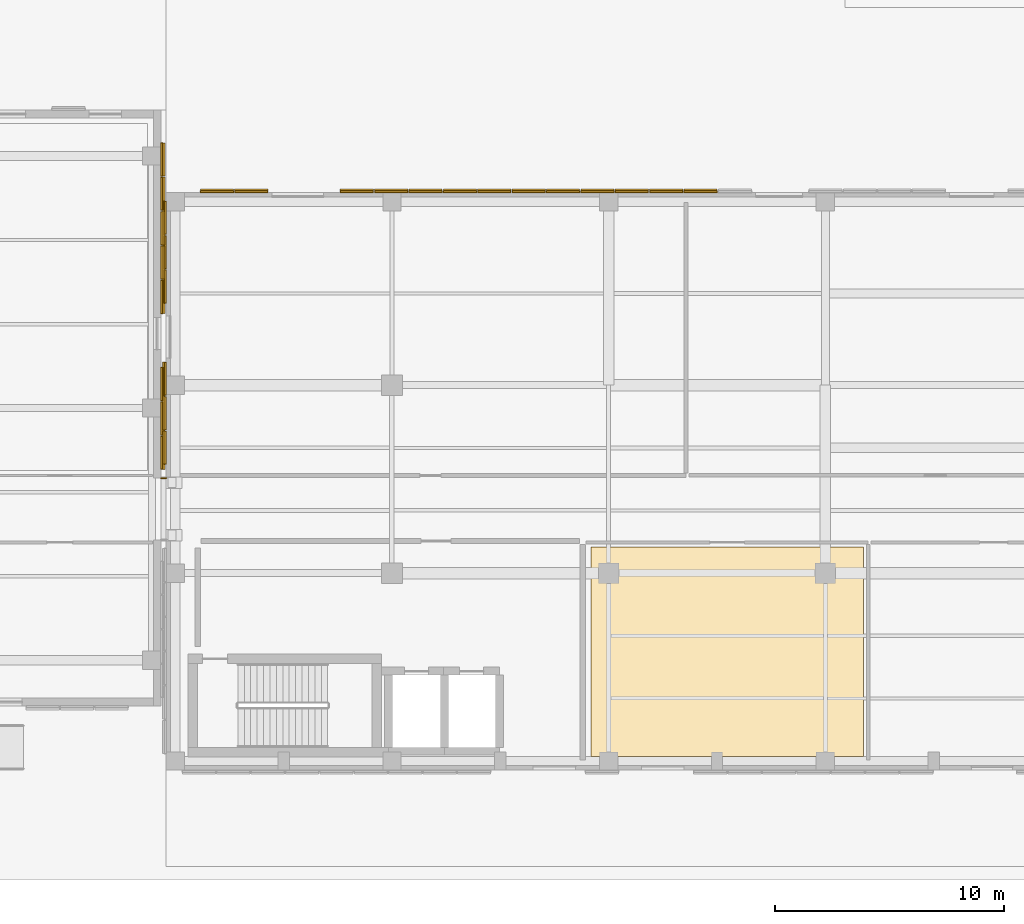
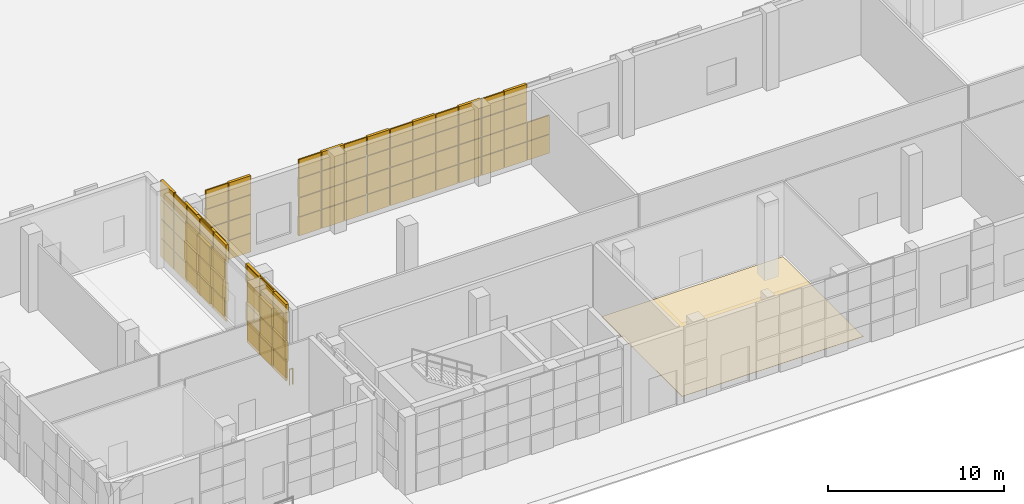
# One storey, part 22 of 40: 107 coverings, 1 railing.
"""IFC4 building model written with IfcOpenShell, lengths in metres."""

from ifc_helpers import new_model, si_unit, direction, frame, origin, origin_2d, place, context, subcontext, project, spatial, polyline, rectangle, circle, outline, extrude, material, layer, layer_set, type_object, element, save


model = new_model("IFC4")

# Units and contexts
model_context = context("Model", 3, precision=1e-05, world=origin(), true_north=direction((0.0, 1.0)))
body_context = subcontext(model_context, "Body", "Model", "MODEL_VIEW")
ifc_project = project(units=[si_unit("LENGTHUNIT", "METRE"), si_unit("AREAUNIT", "SQUARE_METRE"), si_unit("VOLUMEUNIT", "CUBIC_METRE"), si_unit("PLANEANGLEUNIT", "RADIAN"), si_unit("MASSUNIT", "GRAM", prefix="KILO")], contexts=[model_context])

# Site, building, storey
site_placement = place(None, origin())
site = spatial("IfcSite", under=ifc_project, at=site_placement, CompositionType="ELEMENT")
building_placement = place(site_placement, origin())
building = spatial("IfcBuilding", under=site, at=building_placement, Name="Qalavern Law Courts", CompositionType="ELEMENT")
storey_placement = place(building_placement, origin())
storey = spatial("IfcBuildingStorey", under=building, at=storey_placement, Name="L00", CompositionType="ELEMENT", Elevation=0.0)

# Railing
ifc_material_1 = material(Name="Steel S355", Category="steel")
railing_type = type_object("IfcRailingType", Name="ENV-BAL-1120", PredefinedType="BALUSTRADE", material=ifc_material_1)
railing_placement = place(storey_placement, frame((34.0, 17.93994140625, 0.0)))
element("IfcRailing", 1, at=railing_placement, inside=storey, type_object=railing_type, Name="Bridge BR-V1-V2 joint guard L00-2", PredefinedType="BALUSTRADE", context=body_context, shape_type="SweptSolid", body=[
    extrude(circle(Radius=0.02392578125, at=origin_2d()), frame((0.0, 0.0, 1.09619140625), z_axis=(1.0, 0.0, 0.0), x_axis=(0.0, 1.0, 0.0)), (0.0, 0.0, 1.0), 0.219970703125),
    extrude(circle(Radius=0.02099609375, at=origin_2d()), origin(), (0.0, 0.0, 1.0), 1.072021484375),
    extrude(circle(Radius=0.02099609375, at=origin_2d()), frame((0.219970703125, 0.0, 0.0)), (0.0, 0.0, 1.0), 1.072021484375),
])

# Coverings
ifc_material_2 = material(Name="Precast concrete C40/50", Category="concrete")
ifc_layer_1 = layer(ifc_material_2, 0.06005859375)
ifc_layer_set_1 = layer_set([ifc_layer_1], Name="Precast concrete C40/50")
covering_type_1 = type_object("IfcCoveringType", Name="ENV-CLD-1", PredefinedType="CLADDING", material=ifc_layer_set_1)
for number, where, z_axis, x_axis, name in (
    (2, (34.080078125, 19.050048828125, 1.385009765625), (0.0, 0.0, 1.0), (0.0, 1.0, 0.0), "Cast drop-relief street-base tile 0042"),
    (3, (34.080078125, 20.550048828125, 0.050048828125), (0.0, 0.0, 1.0), (0.0, 1.0, 0.0), "Cast drop-relief street-base tile 0045"),
):
    element("IfcCovering", number, at=place(storey_placement, frame(where, z_axis=z_axis, x_axis=x_axis)), inside=storey, type_object=covering_type_1, Name=name, PredefinedType="CLADDING", context=body_context, shape_type="SweptSolid", body=[
        extrude(rectangle(XDim=1.449951171875, YDim=0.16796875, at=origin_2d()), origin(), (0.0, 0.0, 1.0), 1.294921875),
    ])
for number, where, z_axis, x_axis, name in (
    (4, (34.0380859375, 20.550048828125, 4.054931640625), (0.0, 0.0, 1.0), (0.0, 1.0, 0.0), "Cast drop-relief street-base tile 0048"),
    (5, (34.0380859375, 22.050048828125, 2.719970703125), (0.0, 0.0, 1.0), (0.0, 1.0, 0.0), "Cast drop-relief street-base tile 0051"),
):
    element("IfcCovering", number, at=place(storey_placement, frame(where, z_axis=z_axis, x_axis=x_axis)), inside=storey, type_object=covering_type_1, Name=name, PredefinedType="CLADDING", context=body_context, shape_type="SweptSolid", body=[
        extrude(rectangle(XDim=1.449951171875, YDim=0.083984375, at=origin_2d()), origin(), (0.0, 0.0, 1.0), 1.294921875),
    ])
for number, where, z_axis, x_axis, name in (
    (6, (34.080078125, 25.85009765625, 1.385009765625), (0.0, 0.0, 1.0), (0.0, 1.0, 0.0), "Cast drop-relief street-base tile 0054"),
    (7, (34.080078125, 27.35009765625, 0.050048828125), (0.0, 0.0, 1.0), (0.0, 1.0, 0.0), "Cast drop-relief street-base tile 0057"),
):
    element("IfcCovering", number, at=place(storey_placement, frame(where, z_axis=z_axis, x_axis=x_axis)), inside=storey, type_object=covering_type_1, Name=name, PredefinedType="CLADDING", context=body_context, shape_type="SweptSolid", body=[
        extrude(rectangle(XDim=1.449951171875, YDim=0.16796875, at=origin_2d()), origin(), (0.0, 0.0, 1.0), 1.294921875),
    ])
for number, where, z_axis, x_axis, name in (
    (8, (34.0380859375, 27.35009765625, 4.054931640625), (0.0, 0.0, 1.0), (0.0, 1.0, 0.0), "Cast drop-relief street-base tile 0060"),
    (9, (34.0380859375, 28.85009765625, 2.719970703125), (0.0, 0.0, 1.0), (0.0, 1.0, 0.0), "Cast drop-relief street-base tile 0063"),
    (10, (34.0380859375, 30.35009765625, 1.385009765625), (0.0, 0.0, 1.0), (0.0, 1.0, 0.0), "Cast drop-relief street-base tile 0066"),
    (11, (34.0380859375, 31.85009765625, 0.050048828125), (0.0, 0.0, 1.0), (0.0, 1.0, 0.0), "Cast drop-relief street-base tile 0069"),
):
    element("IfcCovering", number, at=place(storey_placement, frame(where, z_axis=z_axis, x_axis=x_axis)), inside=storey, type_object=covering_type_1, Name=name, PredefinedType="CLADDING", context=body_context, shape_type="SweptSolid", body=[
        extrude(rectangle(XDim=1.449951171875, YDim=0.083984375, at=origin_2d()), origin(), (0.0, 0.0, 1.0), 1.294921875),
    ])
for number, where, z_axis, x_axis, name in (
    (12, (34.080078125, 31.85009765625, 4.054931640625), (0.0, 0.0, 1.0), (0.0, 1.0, 0.0), "Cast drop-relief street-base tile 0072"),
    (13, (57.5400390625, 30.47998046875, 0.050048828125), (0.0, 0.0, 1.0), (-1.0, 0.0, 0.0), "Cast drop-relief street-base tile 0381"),
):
    element("IfcCovering", number, at=place(storey_placement, frame(where, z_axis=z_axis, x_axis=x_axis)), inside=storey, type_object=covering_type_1, Name=name, PredefinedType="CLADDING", context=body_context, shape_type="SweptSolid", body=[
        extrude(rectangle(XDim=1.449951171875, YDim=0.16796875, at=origin_2d()), origin(), (0.0, 0.0, 1.0), 1.294921875),
    ])
for number, where, z_axis, x_axis, name in (
    (14, (56.0400390625, 30.43798828125, 2.719970703125), (0.0, 0.0, 1.0), (-1.0, 0.0, 0.0), "Cast drop-relief street-base tile 0387"),
    (15, (54.5400390625, 30.43798828125, 1.385009765625), (0.0, 0.0, 1.0), (-1.0, 0.0, 0.0), "Cast drop-relief street-base tile 0390"),
    (16, (53.0400390625, 30.43798828125, 0.050048828125), (0.0, 0.0, 1.0), (-1.0, 0.0, 0.0), "Cast drop-relief street-base tile 0393"),
):
    element("IfcCovering", number, at=place(storey_placement, frame(where, z_axis=z_axis, x_axis=x_axis)), inside=storey, type_object=covering_type_1, Name=name, PredefinedType="CLADDING", context=body_context, shape_type="SweptSolid", body=[
        extrude(rectangle(XDim=1.449951171875, YDim=0.083984375, at=origin_2d()), origin(), (0.0, 0.0, 1.0), 1.294921875),
    ])
for number, where, z_axis, x_axis, name in (
    (17, (53.0400390625, 30.47998046875, 4.054931640625), (0.0, 0.0, 1.0), (-1.0, 0.0, 0.0), "Cast drop-relief street-base tile 0396"),
    (18, (51.5400390625, 30.47998046875, 2.719970703125), (0.0, 0.0, 1.0), (-1.0, 0.0, 0.0), "Cast drop-relief street-base tile 0399"),
    (19, (50.0400390625, 30.47998046875, 1.385009765625), (0.0, 0.0, 1.0), (-1.0, 0.0, 0.0), "Cast drop-relief street-base tile 0402"),
    (20, (48.5400390625, 30.47998046875, 0.050048828125), (0.0, 0.0, 1.0), (-1.0, 0.0, 0.0), "Cast drop-relief street-base tile 0405"),
):
    element("IfcCovering", number, at=place(storey_placement, frame(where, z_axis=z_axis, x_axis=x_axis)), inside=storey, type_object=covering_type_1, Name=name, PredefinedType="CLADDING", context=body_context, shape_type="SweptSolid", body=[
        extrude(rectangle(XDim=1.449951171875, YDim=0.16796875, at=origin_2d()), origin(), (0.0, 0.0, 1.0), 1.294921875),
    ])
for number, where, z_axis, x_axis, name in (
    (21, (48.5400390625, 30.43798828125, 4.054931640625), (0.0, 0.0, 1.0), (-1.0, 0.0, 0.0), "Cast drop-relief street-base tile 0408"),
    (22, (47.0400390625, 30.43798828125, 2.719970703125), (0.0, 0.0, 1.0), (-1.0, 0.0, 0.0), "Cast drop-relief street-base tile 0411"),
    (23, (45.5400390625, 30.43798828125, 1.385009765625), (0.0, 0.0, 1.0), (-1.0, 0.0, 0.0), "Cast drop-relief street-base tile 0414"),
    (24, (44.0400390625, 30.43798828125, 0.050048828125), (0.0, 0.0, 1.0), (-1.0, 0.0, 0.0), "Cast drop-relief street-base tile 0417"),
):
    element("IfcCovering", number, at=place(storey_placement, frame(where, z_axis=z_axis, x_axis=x_axis)), inside=storey, type_object=covering_type_1, Name=name, PredefinedType="CLADDING", context=body_context, shape_type="SweptSolid", body=[
        extrude(rectangle(XDim=1.449951171875, YDim=0.083984375, at=origin_2d()), origin(), (0.0, 0.0, 1.0), 1.294921875),
    ])
for number, where, z_axis, x_axis, name in (
    (25, (44.0400390625, 30.47998046875, 4.054931640625), (0.0, 0.0, 1.0), (-1.0, 0.0, 0.0), "Cast drop-relief street-base tile 0420"),
    (26, (42.5400390625, 30.47998046875, 2.719970703125), (0.0, 0.0, 1.0), (-1.0, 0.0, 0.0), "Cast drop-relief street-base tile 0423"),
    (27, (37.93994140625, 30.47998046875, 1.385009765625), (0.0, 0.0, 1.0), (-1.0, 0.0, 0.0), "Cast drop-relief street-base tile 0426"),
    (28, (36.43994140625, 30.47998046875, 0.050048828125), (0.0, 0.0, 1.0), (-1.0, 0.0, 0.0), "Cast drop-relief street-base tile 0429"),
):
    element("IfcCovering", number, at=place(storey_placement, frame(where, z_axis=z_axis, x_axis=x_axis)), inside=storey, type_object=covering_type_1, Name=name, PredefinedType="CLADDING", context=body_context, shape_type="SweptSolid", body=[
        extrude(rectangle(XDim=1.449951171875, YDim=0.16796875, at=origin_2d()), origin(), (0.0, 0.0, 1.0), 1.294921875),
    ])
covering_1_placement = place(storey_placement, frame((36.43994140625, 30.43798828125, 4.054931640625), z_axis=(0.0, 0.0, 1.0), x_axis=(-1.0, 0.0, 0.0)))
element("IfcCovering", 29, at=covering_1_placement, inside=storey, type_object=covering_type_1, Name="Cast drop-relief street-base tile 0432", PredefinedType="CLADDING", context=body_context, shape_type="SweptSolid", body=[
    extrude(rectangle(XDim=1.449951171875, YDim=0.083984375, at=origin_2d()), origin(), (0.0, 0.0, 1.0), 1.294921875),
])
for number, where, z_axis, x_axis, name in (
    (30, (34.139892578125, 29.300048828125, 1.385009765625), (0.0, 0.0, 1.0), (0.0, -1.0, 0.0), "Cast drop-relief street-base tile 0434"),
    (31, (34.139892578125, 27.800048828125, 0.050048828125), (0.0, 0.0, 1.0), (0.0, -1.0, 0.0), "Cast drop-relief street-base tile 0437"),
):
    element("IfcCovering", number, at=place(storey_placement, frame(where, z_axis=z_axis, x_axis=x_axis)), inside=storey, type_object=covering_type_1, Name=name, PredefinedType="CLADDING", context=body_context, shape_type="SweptSolid", body=[
        extrude(rectangle(XDim=1.449951171875, YDim=0.16796875, at=origin_2d()), origin(), (0.0, 0.0, 1.0), 1.294921875),
    ])
for number, where, z_axis, x_axis, name in (
    (32, (34.181884765625, 27.800048828125, 4.054931640625), (0.0, 0.0, 1.0), (0.0, -1.0, 0.0), "Cast drop-relief street-base tile 0440"),
    (33, (34.181884765625, 26.300048828125, 2.719970703125), (0.0, 0.0, 1.0), (0.0, -1.0, 0.0), "Cast drop-relief street-base tile 0443"),
):
    element("IfcCovering", number, at=place(storey_placement, frame(where, z_axis=z_axis, x_axis=x_axis)), inside=storey, type_object=covering_type_1, Name=name, PredefinedType="CLADDING", context=body_context, shape_type="SweptSolid", body=[
        extrude(rectangle(XDim=1.449951171875, YDim=0.083984375, at=origin_2d()), origin(), (0.0, 0.0, 1.0), 1.294921875),
    ])
for number, where, z_axis, x_axis, name in (
    (34, (34.139892578125, 22.27490234375, 1.385009765625), (0.0, 0.0, 1.0), (0.0, -1.0, 0.0), "Cast drop-relief street-base tile 0446"),
    (35, (34.139892578125, 20.77490234375, 0.050048828125), (0.0, 0.0, 1.0), (0.0, -1.0, 0.0), "Cast drop-relief street-base tile 0449"),
):
    element("IfcCovering", number, at=place(storey_placement, frame(where, z_axis=z_axis, x_axis=x_axis)), inside=storey, type_object=covering_type_1, Name=name, PredefinedType="CLADDING", context=body_context, shape_type="SweptSolid", body=[
        extrude(rectangle(XDim=1.449951171875, YDim=0.16796875, at=origin_2d()), origin(), (0.0, 0.0, 1.0), 1.294921875),
    ])
for number, where, z_axis, x_axis, name in (
    (36, (34.181884765625, 20.77490234375, 4.054931640625), (0.0, 0.0, 1.0), (0.0, -1.0, 0.0), "Cast drop-relief street-base tile 0452"),
    (37, (34.181884765625, 19.27490234375, 2.719970703125), (0.0, 0.0, 1.0), (0.0, -1.0, 0.0), "Cast drop-relief street-base tile 0455"),
):
    element("IfcCovering", number, at=place(storey_placement, frame(where, z_axis=z_axis, x_axis=x_axis)), inside=storey, type_object=covering_type_1, Name=name, PredefinedType="CLADDING", context=body_context, shape_type="SweptSolid", body=[
        extrude(rectangle(XDim=1.449951171875, YDim=0.083984375, at=origin_2d()), origin(), (0.0, 0.0, 1.0), 1.294921875),
    ])
ifc_layer_2 = layer(ifc_material_2, 0.072021484375)
ifc_layer_set_2 = layer_set([ifc_layer_2], Name="Precast concrete C40/50")
covering_type_2 = type_object("IfcCoveringType", Name="ENV-CLD-2", PredefinedType="CLADDING", material=ifc_layer_set_2)
for number, where, z_axis, x_axis, name in (
    (38, (34.0380859375, 19.050048828125, 2.719970703125), (0.0, 0.0, 1.0), (0.0, 1.0, 0.0), "Cast drop-relief street-base tile 0043"),
    (39, (34.0380859375, 20.550048828125, 1.385009765625), (0.0, 0.0, 1.0), (0.0, 1.0, 0.0), "Cast drop-relief street-base tile 0046"),
    (40, (34.0380859375, 22.050048828125, 0.050048828125), (0.0, 0.0, 1.0), (0.0, 1.0, 0.0), "Cast drop-relief street-base tile 0049"),
):
    element("IfcCovering", number, at=place(storey_placement, frame(where, z_axis=z_axis, x_axis=x_axis)), inside=storey, type_object=covering_type_2, Name=name, PredefinedType="CLADDING", context=body_context, shape_type="SweptSolid", body=[
        extrude(rectangle(XDim=1.449951171875, YDim=0.083984375, at=origin_2d()), origin(), (0.0, 0.0, 1.0), 1.294921875),
    ])
covering_2_placement = place(storey_placement, frame((34.080078125, 22.050048828125, 4.054931640625), z_axis=(0.0, 0.0, 1.0), x_axis=(0.0, 1.0, 0.0)))
element("IfcCovering", 41, at=covering_2_placement, inside=storey, type_object=covering_type_2, Name="Cast drop-relief street-base tile 0052", PredefinedType="CLADDING", context=body_context, shape_type="SweptSolid", body=[
    extrude(rectangle(XDim=1.449951171875, YDim=0.16796875, at=origin_2d()), origin(), (0.0, 0.0, 1.0), 1.294921875),
])
for number, where, z_axis, x_axis, name in (
    (42, (34.0380859375, 25.85009765625, 2.719970703125), (0.0, 0.0, 1.0), (0.0, 1.0, 0.0), "Cast drop-relief street-base tile 0055"),
    (43, (34.0380859375, 27.35009765625, 1.385009765625), (0.0, 0.0, 1.0), (0.0, 1.0, 0.0), "Cast drop-relief street-base tile 0058"),
    (44, (34.0380859375, 28.85009765625, 0.050048828125), (0.0, 0.0, 1.0), (0.0, 1.0, 0.0), "Cast drop-relief street-base tile 0061"),
):
    element("IfcCovering", number, at=place(storey_placement, frame(where, z_axis=z_axis, x_axis=x_axis)), inside=storey, type_object=covering_type_2, Name=name, PredefinedType="CLADDING", context=body_context, shape_type="SweptSolid", body=[
        extrude(rectangle(XDim=1.449951171875, YDim=0.083984375, at=origin_2d()), origin(), (0.0, 0.0, 1.0), 1.294921875),
    ])
for number, where, z_axis, x_axis, name in (
    (45, (34.080078125, 28.85009765625, 4.054931640625), (0.0, 0.0, 1.0), (0.0, 1.0, 0.0), "Cast drop-relief street-base tile 0064"),
    (46, (34.080078125, 30.35009765625, 2.719970703125), (0.0, 0.0, 1.0), (0.0, 1.0, 0.0), "Cast drop-relief street-base tile 0067"),
    (47, (34.080078125, 31.85009765625, 1.385009765625), (0.0, 0.0, 1.0), (0.0, 1.0, 0.0), "Cast drop-relief street-base tile 0070"),
):
    element("IfcCovering", number, at=place(storey_placement, frame(where, z_axis=z_axis, x_axis=x_axis)), inside=storey, type_object=covering_type_2, Name=name, PredefinedType="CLADDING", context=body_context, shape_type="SweptSolid", body=[
        extrude(rectangle(XDim=1.449951171875, YDim=0.16796875, at=origin_2d()), origin(), (0.0, 0.0, 1.0), 1.294921875),
    ])
for number, where, z_axis, x_axis, name in (
    (48, (57.5400390625, 30.43798828125, 1.385009765625), (0.0, 0.0, 1.0), (-1.0, 0.0, 0.0), "Cast drop-relief street-base tile 0382"),
    (49, (56.0400390625, 30.43798828125, 0.050048828125), (0.0, 0.0, 1.0), (-1.0, 0.0, 0.0), "Cast drop-relief street-base tile 0385"),
):
    element("IfcCovering", number, at=place(storey_placement, frame(where, z_axis=z_axis, x_axis=x_axis)), inside=storey, type_object=covering_type_2, Name=name, PredefinedType="CLADDING", context=body_context, shape_type="SweptSolid", body=[
        extrude(rectangle(XDim=1.449951171875, YDim=0.083984375, at=origin_2d()), origin(), (0.0, 0.0, 1.0), 1.294921875),
    ])
for number, where, z_axis, x_axis, name in (
    (50, (56.0400390625, 30.47998046875, 4.054931640625), (0.0, 0.0, 1.0), (-1.0, 0.0, 0.0), "Cast drop-relief street-base tile 0388"),
    (51, (54.5400390625, 30.47998046875, 2.719970703125), (0.0, 0.0, 1.0), (-1.0, 0.0, 0.0), "Cast drop-relief street-base tile 0391"),
    (52, (53.0400390625, 30.47998046875, 1.385009765625), (0.0, 0.0, 1.0), (-1.0, 0.0, 0.0), "Cast drop-relief street-base tile 0394"),
    (53, (51.5400390625, 30.47998046875, 0.050048828125), (0.0, 0.0, 1.0), (-1.0, 0.0, 0.0), "Cast drop-relief street-base tile 0397"),
):
    element("IfcCovering", number, at=place(storey_placement, frame(where, z_axis=z_axis, x_axis=x_axis)), inside=storey, type_object=covering_type_2, Name=name, PredefinedType="CLADDING", context=body_context, shape_type="SweptSolid", body=[
        extrude(rectangle(XDim=1.449951171875, YDim=0.16796875, at=origin_2d()), origin(), (0.0, 0.0, 1.0), 1.294921875),
    ])
for number, where, z_axis, x_axis, name in (
    (54, (51.5400390625, 30.43798828125, 4.054931640625), (0.0, 0.0, 1.0), (-1.0, 0.0, 0.0), "Cast drop-relief street-base tile 0400"),
    (55, (50.0400390625, 30.43798828125, 2.719970703125), (0.0, 0.0, 1.0), (-1.0, 0.0, 0.0), "Cast drop-relief street-base tile 0403"),
    (56, (48.5400390625, 30.43798828125, 1.385009765625), (0.0, 0.0, 1.0), (-1.0, 0.0, 0.0), "Cast drop-relief street-base tile 0406"),
    (57, (47.0400390625, 30.43798828125, 0.050048828125), (0.0, 0.0, 1.0), (-1.0, 0.0, 0.0), "Cast drop-relief street-base tile 0409"),
):
    element("IfcCovering", number, at=place(storey_placement, frame(where, z_axis=z_axis, x_axis=x_axis)), inside=storey, type_object=covering_type_2, Name=name, PredefinedType="CLADDING", context=body_context, shape_type="SweptSolid", body=[
        extrude(rectangle(XDim=1.449951171875, YDim=0.083984375, at=origin_2d()), origin(), (0.0, 0.0, 1.0), 1.294921875),
    ])
for number, where, z_axis, x_axis, name in (
    (58, (47.0400390625, 30.47998046875, 4.054931640625), (0.0, 0.0, 1.0), (-1.0, 0.0, 0.0), "Cast drop-relief street-base tile 0412"),
    (59, (45.5400390625, 30.47998046875, 2.719970703125), (0.0, 0.0, 1.0), (-1.0, 0.0, 0.0), "Cast drop-relief street-base tile 0415"),
    (60, (44.0400390625, 30.47998046875, 1.385009765625), (0.0, 0.0, 1.0), (-1.0, 0.0, 0.0), "Cast drop-relief street-base tile 0418"),
    (61, (42.5400390625, 30.47998046875, 0.050048828125), (0.0, 0.0, 1.0), (-1.0, 0.0, 0.0), "Cast drop-relief street-base tile 0421"),
):
    element("IfcCovering", number, at=place(storey_placement, frame(where, z_axis=z_axis, x_axis=x_axis)), inside=storey, type_object=covering_type_2, Name=name, PredefinedType="CLADDING", context=body_context, shape_type="SweptSolid", body=[
        extrude(rectangle(XDim=1.449951171875, YDim=0.16796875, at=origin_2d()), origin(), (0.0, 0.0, 1.0), 1.294921875),
    ])
for number, where, z_axis, x_axis, name in (
    (62, (42.5400390625, 30.43798828125, 4.054931640625), (0.0, 0.0, 1.0), (-1.0, 0.0, 0.0), "Cast drop-relief street-base tile 0424"),
    (63, (37.93994140625, 30.43798828125, 2.719970703125), (0.0, 0.0, 1.0), (-1.0, 0.0, 0.0), "Cast drop-relief street-base tile 0427"),
    (64, (36.43994140625, 30.43798828125, 1.385009765625), (0.0, 0.0, 1.0), (-1.0, 0.0, 0.0), "Cast drop-relief street-base tile 0430"),
    (65, (34.181884765625, 29.300048828125, 2.719970703125), (0.0, 0.0, 1.0), (0.0, -1.0, 0.0), "Cast drop-relief street-base tile 0435"),
    (66, (34.181884765625, 27.800048828125, 1.385009765625), (0.0, 0.0, 1.0), (0.0, -1.0, 0.0), "Cast drop-relief street-base tile 0438"),
    (67, (34.181884765625, 26.300048828125, 0.050048828125), (0.0, 0.0, 1.0), (0.0, -1.0, 0.0), "Cast drop-relief street-base tile 0441"),
):
    element("IfcCovering", number, at=place(storey_placement, frame(where, z_axis=z_axis, x_axis=x_axis)), inside=storey, type_object=covering_type_2, Name=name, PredefinedType="CLADDING", context=body_context, shape_type="SweptSolid", body=[
        extrude(rectangle(XDim=1.449951171875, YDim=0.083984375, at=origin_2d()), origin(), (0.0, 0.0, 1.0), 1.294921875),
    ])
covering_3_placement = place(storey_placement, frame((34.139892578125, 26.300048828125, 4.054931640625), z_axis=(0.0, 0.0, 1.0), x_axis=(0.0, -1.0, 0.0)))
element("IfcCovering", 68, at=covering_3_placement, inside=storey, type_object=covering_type_2, Name="Cast drop-relief street-base tile 0444", PredefinedType="CLADDING", context=body_context, shape_type="SweptSolid", body=[
    extrude(rectangle(XDim=1.449951171875, YDim=0.16796875, at=origin_2d()), origin(), (0.0, 0.0, 1.0), 1.294921875),
])
for number, where, z_axis, x_axis, name in (
    (69, (34.181884765625, 22.27490234375, 2.719970703125), (0.0, 0.0, 1.0), (0.0, -1.0, 0.0), "Cast drop-relief street-base tile 0447"),
    (70, (34.181884765625, 20.77490234375, 1.385009765625), (0.0, 0.0, 1.0), (0.0, -1.0, 0.0), "Cast drop-relief street-base tile 0450"),
    (71, (34.181884765625, 19.27490234375, 0.050048828125), (0.0, 0.0, 1.0), (0.0, -1.0, 0.0), "Cast drop-relief street-base tile 0453"),
):
    element("IfcCovering", number, at=place(storey_placement, frame(where, z_axis=z_axis, x_axis=x_axis)), inside=storey, type_object=covering_type_2, Name=name, PredefinedType="CLADDING", context=body_context, shape_type="SweptSolid", body=[
        extrude(rectangle(XDim=1.449951171875, YDim=0.083984375, at=origin_2d()), origin(), (0.0, 0.0, 1.0), 1.294921875),
    ])
covering_4_placement = place(storey_placement, frame((34.139892578125, 19.27490234375, 4.054931640625), z_axis=(0.0, 0.0, 1.0), x_axis=(0.0, -1.0, 0.0)))
element("IfcCovering", 72, at=covering_4_placement, inside=storey, type_object=covering_type_2, Name="Cast drop-relief street-base tile 0456", PredefinedType="CLADDING", context=body_context, shape_type="SweptSolid", body=[
    extrude(rectangle(XDim=1.449951171875, YDim=0.16796875, at=origin_2d()), origin(), (0.0, 0.0, 1.0), 1.294921875),
])
ifc_layer_3 = layer(ifc_material_2, 0.083984375)
ifc_layer_set_3 = layer_set([ifc_layer_3], Name="Precast concrete C40/50")
covering_type_3 = type_object("IfcCoveringType", Name="ENV-CLD-3", PredefinedType="CLADDING", material=ifc_layer_set_3)
covering_5_placement = place(storey_placement, frame((34.0380859375, 19.050048828125, 0.050048828125), z_axis=(0.0, 0.0, 1.0), x_axis=(0.0, 1.0, 0.0)))
element("IfcCovering", 73, at=covering_5_placement, inside=storey, type_object=covering_type_3, Name="Cast drop-relief street-base tile 0041", PredefinedType="CLADDING", context=body_context, shape_type="SweptSolid", body=[
    extrude(rectangle(XDim=1.449951171875, YDim=0.083984375, at=origin_2d()), origin(), (0.0, 0.0, 1.0), 1.294921875),
])
for number, where, z_axis, x_axis, name in (
    (74, (34.080078125, 19.050048828125, 4.054931640625), (0.0, 0.0, 1.0), (0.0, 1.0, 0.0), "Cast drop-relief street-base tile 0044"),
    (75, (34.080078125, 20.550048828125, 2.719970703125), (0.0, 0.0, 1.0), (0.0, 1.0, 0.0), "Cast drop-relief street-base tile 0047"),
    (76, (34.080078125, 22.050048828125, 1.385009765625), (0.0, 0.0, 1.0), (0.0, 1.0, 0.0), "Cast drop-relief street-base tile 0050"),
):
    element("IfcCovering", number, at=place(storey_placement, frame(where, z_axis=z_axis, x_axis=x_axis)), inside=storey, type_object=covering_type_3, Name=name, PredefinedType="CLADDING", context=body_context, shape_type="SweptSolid", body=[
        extrude(rectangle(XDim=1.449951171875, YDim=0.16796875, at=origin_2d()), origin(), (0.0, 0.0, 1.0), 1.294921875),
    ])
covering_6_placement = place(storey_placement, frame((34.0380859375, 25.85009765625, 0.050048828125), z_axis=(0.0, 0.0, 1.0), x_axis=(0.0, 1.0, 0.0)))
element("IfcCovering", 77, at=covering_6_placement, inside=storey, type_object=covering_type_3, Name="Cast drop-relief street-base tile 0053", PredefinedType="CLADDING", context=body_context, shape_type="SweptSolid", body=[
    extrude(rectangle(XDim=1.449951171875, YDim=0.083984375, at=origin_2d()), origin(), (0.0, 0.0, 1.0), 1.294921875),
])
for number, where, z_axis, x_axis, name in (
    (78, (34.080078125, 25.85009765625, 4.054931640625), (0.0, 0.0, 1.0), (0.0, 1.0, 0.0), "Cast drop-relief street-base tile 0056"),
    (79, (34.080078125, 27.35009765625, 2.719970703125), (0.0, 0.0, 1.0), (0.0, 1.0, 0.0), "Cast drop-relief street-base tile 0059"),
    (80, (34.080078125, 28.85009765625, 1.385009765625), (0.0, 0.0, 1.0), (0.0, 1.0, 0.0), "Cast drop-relief street-base tile 0062"),
    (81, (34.080078125, 30.35009765625, 0.050048828125), (0.0, 0.0, 1.0), (0.0, 1.0, 0.0), "Cast drop-relief street-base tile 0065"),
):
    element("IfcCovering", number, at=place(storey_placement, frame(where, z_axis=z_axis, x_axis=x_axis)), inside=storey, type_object=covering_type_3, Name=name, PredefinedType="CLADDING", context=body_context, shape_type="SweptSolid", body=[
        extrude(rectangle(XDim=1.449951171875, YDim=0.16796875, at=origin_2d()), origin(), (0.0, 0.0, 1.0), 1.294921875),
    ])
for number, where, z_axis, x_axis, name in (
    (82, (34.0380859375, 30.35009765625, 4.054931640625), (0.0, 0.0, 1.0), (0.0, 1.0, 0.0), "Cast drop-relief street-base tile 0068"),
    (83, (34.0380859375, 31.85009765625, 2.719970703125), (0.0, 0.0, 1.0), (0.0, 1.0, 0.0), "Cast drop-relief street-base tile 0071"),
):
    element("IfcCovering", number, at=place(storey_placement, frame(where, z_axis=z_axis, x_axis=x_axis)), inside=storey, type_object=covering_type_3, Name=name, PredefinedType="CLADDING", context=body_context, shape_type="SweptSolid", body=[
        extrude(rectangle(XDim=1.449951171875, YDim=0.083984375, at=origin_2d()), origin(), (0.0, 0.0, 1.0), 1.294921875),
    ])
for number, where, z_axis, x_axis, name in (
    (84, (56.0400390625, 30.47998046875, 1.385009765625), (0.0, 0.0, 1.0), (-1.0, 0.0, 0.0), "Cast drop-relief street-base tile 0386"),
    (85, (54.5400390625, 30.47998046875, 0.050048828125), (0.0, 0.0, 1.0), (-1.0, 0.0, 0.0), "Cast drop-relief street-base tile 0389"),
):
    element("IfcCovering", number, at=place(storey_placement, frame(where, z_axis=z_axis, x_axis=x_axis)), inside=storey, type_object=covering_type_3, Name=name, PredefinedType="CLADDING", context=body_context, shape_type="SweptSolid", body=[
        extrude(rectangle(XDim=1.449951171875, YDim=0.16796875, at=origin_2d()), origin(), (0.0, 0.0, 1.0), 1.294921875),
    ])
for number, where, z_axis, x_axis, name in (
    (86, (54.5400390625, 30.43798828125, 4.054931640625), (0.0, 0.0, 1.0), (-1.0, 0.0, 0.0), "Cast drop-relief street-base tile 0392"),
    (87, (53.0400390625, 30.43798828125, 2.719970703125), (0.0, 0.0, 1.0), (-1.0, 0.0, 0.0), "Cast drop-relief street-base tile 0395"),
    (88, (51.5400390625, 30.43798828125, 1.385009765625), (0.0, 0.0, 1.0), (-1.0, 0.0, 0.0), "Cast drop-relief street-base tile 0398"),
    (89, (50.0400390625, 30.43798828125, 0.050048828125), (0.0, 0.0, 1.0), (-1.0, 0.0, 0.0), "Cast drop-relief street-base tile 0401"),
):
    element("IfcCovering", number, at=place(storey_placement, frame(where, z_axis=z_axis, x_axis=x_axis)), inside=storey, type_object=covering_type_3, Name=name, PredefinedType="CLADDING", context=body_context, shape_type="SweptSolid", body=[
        extrude(rectangle(XDim=1.449951171875, YDim=0.083984375, at=origin_2d()), origin(), (0.0, 0.0, 1.0), 1.294921875),
    ])
for number, where, z_axis, x_axis, name in (
    (90, (50.0400390625, 30.47998046875, 4.054931640625), (0.0, 0.0, 1.0), (-1.0, 0.0, 0.0), "Cast drop-relief street-base tile 0404"),
    (91, (48.5400390625, 30.47998046875, 2.719970703125), (0.0, 0.0, 1.0), (-1.0, 0.0, 0.0), "Cast drop-relief street-base tile 0407"),
    (92, (47.0400390625, 30.47998046875, 1.385009765625), (0.0, 0.0, 1.0), (-1.0, 0.0, 0.0), "Cast drop-relief street-base tile 0410"),
    (93, (45.5400390625, 30.47998046875, 0.050048828125), (0.0, 0.0, 1.0), (-1.0, 0.0, 0.0), "Cast drop-relief street-base tile 0413"),
):
    element("IfcCovering", number, at=place(storey_placement, frame(where, z_axis=z_axis, x_axis=x_axis)), inside=storey, type_object=covering_type_3, Name=name, PredefinedType="CLADDING", context=body_context, shape_type="SweptSolid", body=[
        extrude(rectangle(XDim=1.449951171875, YDim=0.16796875, at=origin_2d()), origin(), (0.0, 0.0, 1.0), 1.294921875),
    ])
for number, where, z_axis, x_axis, name in (
    (94, (45.5400390625, 30.43798828125, 4.054931640625), (0.0, 0.0, 1.0), (-1.0, 0.0, 0.0), "Cast drop-relief street-base tile 0416"),
    (95, (44.0400390625, 30.43798828125, 2.719970703125), (0.0, 0.0, 1.0), (-1.0, 0.0, 0.0), "Cast drop-relief street-base tile 0419"),
    (96, (42.5400390625, 30.43798828125, 1.385009765625), (0.0, 0.0, 1.0), (-1.0, 0.0, 0.0), "Cast drop-relief street-base tile 0422"),
    (97, (37.93994140625, 30.43798828125, 0.050048828125), (0.0, 0.0, 1.0), (-1.0, 0.0, 0.0), "Cast drop-relief street-base tile 0425"),
):
    element("IfcCovering", number, at=place(storey_placement, frame(where, z_axis=z_axis, x_axis=x_axis)), inside=storey, type_object=covering_type_3, Name=name, PredefinedType="CLADDING", context=body_context, shape_type="SweptSolid", body=[
        extrude(rectangle(XDim=1.449951171875, YDim=0.083984375, at=origin_2d()), origin(), (0.0, 0.0, 1.0), 1.294921875),
    ])
for number, where, z_axis, x_axis, name in (
    (98, (37.93994140625, 30.47998046875, 4.054931640625), (0.0, 0.0, 1.0), (-1.0, 0.0, 0.0), "Cast drop-relief street-base tile 0428"),
    (99, (36.43994140625, 30.47998046875, 2.719970703125), (0.0, 0.0, 1.0), (-1.0, 0.0, 0.0), "Cast drop-relief street-base tile 0431"),
):
    element("IfcCovering", number, at=place(storey_placement, frame(where, z_axis=z_axis, x_axis=x_axis)), inside=storey, type_object=covering_type_3, Name=name, PredefinedType="CLADDING", context=body_context, shape_type="SweptSolid", body=[
        extrude(rectangle(XDim=1.449951171875, YDim=0.16796875, at=origin_2d()), origin(), (0.0, 0.0, 1.0), 1.294921875),
    ])
covering_7_placement = place(storey_placement, frame((34.181884765625, 29.300048828125, 0.050048828125), z_axis=(0.0, 0.0, 1.0), x_axis=(0.0, -1.0, 0.0)))
element("IfcCovering", 100, at=covering_7_placement, inside=storey, type_object=covering_type_3, Name="Cast drop-relief street-base tile 0433", PredefinedType="CLADDING", context=body_context, shape_type="SweptSolid", body=[
    extrude(rectangle(XDim=1.449951171875, YDim=0.083984375, at=origin_2d()), origin(), (0.0, 0.0, 1.0), 1.294921875),
])
for number, where, z_axis, x_axis, name in (
    (101, (34.139892578125, 29.300048828125, 4.054931640625), (0.0, 0.0, 1.0), (0.0, -1.0, 0.0), "Cast drop-relief street-base tile 0436"),
    (102, (34.139892578125, 27.800048828125, 2.719970703125), (0.0, 0.0, 1.0), (0.0, -1.0, 0.0), "Cast drop-relief street-base tile 0439"),
    (103, (34.139892578125, 26.300048828125, 1.385009765625), (0.0, 0.0, 1.0), (0.0, -1.0, 0.0), "Cast drop-relief street-base tile 0442"),
):
    element("IfcCovering", number, at=place(storey_placement, frame(where, z_axis=z_axis, x_axis=x_axis)), inside=storey, type_object=covering_type_3, Name=name, PredefinedType="CLADDING", context=body_context, shape_type="SweptSolid", body=[
        extrude(rectangle(XDim=1.449951171875, YDim=0.16796875, at=origin_2d()), origin(), (0.0, 0.0, 1.0), 1.294921875),
    ])
covering_8_placement = place(storey_placement, frame((34.181884765625, 22.27490234375, 0.050048828125), z_axis=(0.0, 0.0, 1.0), x_axis=(0.0, -1.0, 0.0)))
element("IfcCovering", 104, at=covering_8_placement, inside=storey, type_object=covering_type_3, Name="Cast drop-relief street-base tile 0445", PredefinedType="CLADDING", context=body_context, shape_type="SweptSolid", body=[
    extrude(rectangle(XDim=1.449951171875, YDim=0.083984375, at=origin_2d()), origin(), (0.0, 0.0, 1.0), 1.294921875),
])
for number, where, z_axis, x_axis, name in (
    (105, (34.139892578125, 22.27490234375, 4.054931640625), (0.0, 0.0, 1.0), (0.0, -1.0, 0.0), "Cast drop-relief street-base tile 0448"),
    (106, (34.139892578125, 20.77490234375, 2.719970703125), (0.0, 0.0, 1.0), (0.0, -1.0, 0.0), "Cast drop-relief street-base tile 0451"),
    (107, (34.139892578125, 19.27490234375, 1.385009765625), (0.0, 0.0, 1.0), (0.0, -1.0, 0.0), "Cast drop-relief street-base tile 0454"),
):
    element("IfcCovering", number, at=place(storey_placement, frame(where, z_axis=z_axis, x_axis=x_axis)), inside=storey, type_object=covering_type_3, Name=name, PredefinedType="CLADDING", context=body_context, shape_type="SweptSolid", body=[
        extrude(rectangle(XDim=1.449951171875, YDim=0.16796875, at=origin_2d()), origin(), (0.0, 0.0, 1.0), 1.294921875),
    ])
ifc_material_3 = material(Name="Acoustic engineered oak courtroom flooring")
ifc_layer_4 = layer(ifc_material_3, 0.02197265625)
ifc_layer_set_4 = layer_set([ifc_layer_4], Name="Acoustic engineered oak courtroom flooring")
covering_type_4 = type_object("IfcCoveringType", Name="INT-FLR-1", PredefinedType="FLOORING", material=ifc_layer_set_4)
covering_9_placement = place(storey_placement, origin())
element("IfcCovering", 108, at=covering_9_placement, inside=storey, type_object=covering_type_4, Name="Public Hall finish flooring L00", PredefinedType="FLOORING", context=body_context, shape_type="SweptSolid", body=[
    extrude(outline(polyline([(52.75, 5.7900390625), (64.64501953125, 5.7900390625), (64.64501953125, 14.929931640625), (52.75, 14.929931640625), (52.75, 5.7900390625)])), origin(), (0.0, 0.0, 1.0), 0.02197265625),
])

save(model, "model.ifc")
